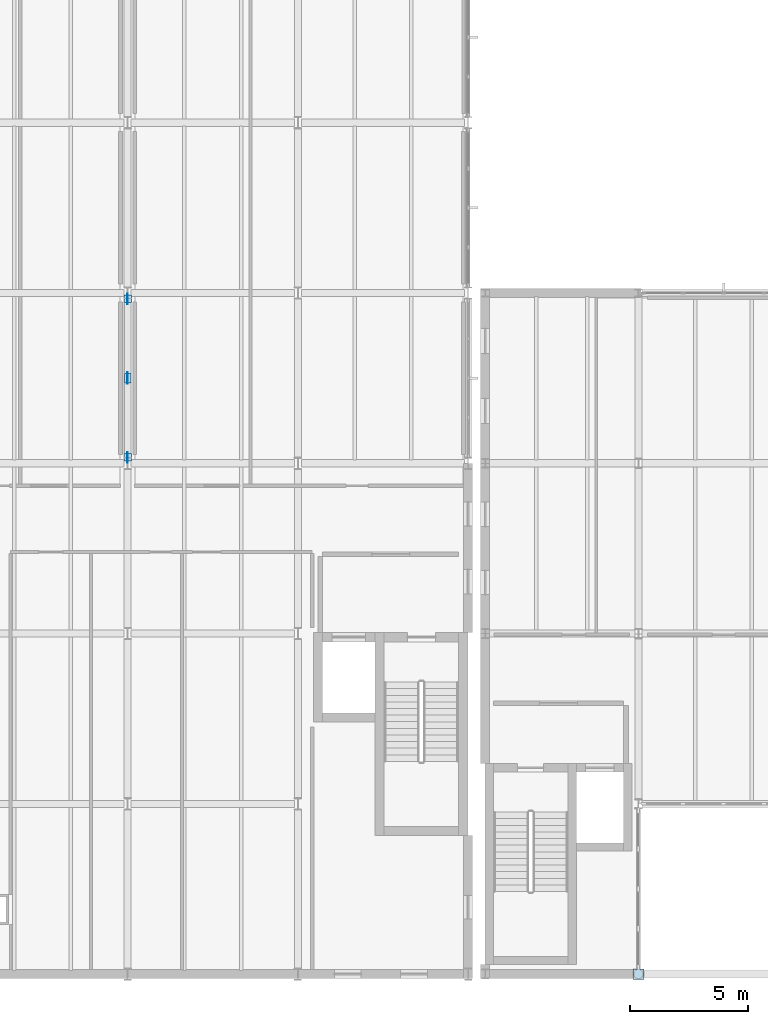
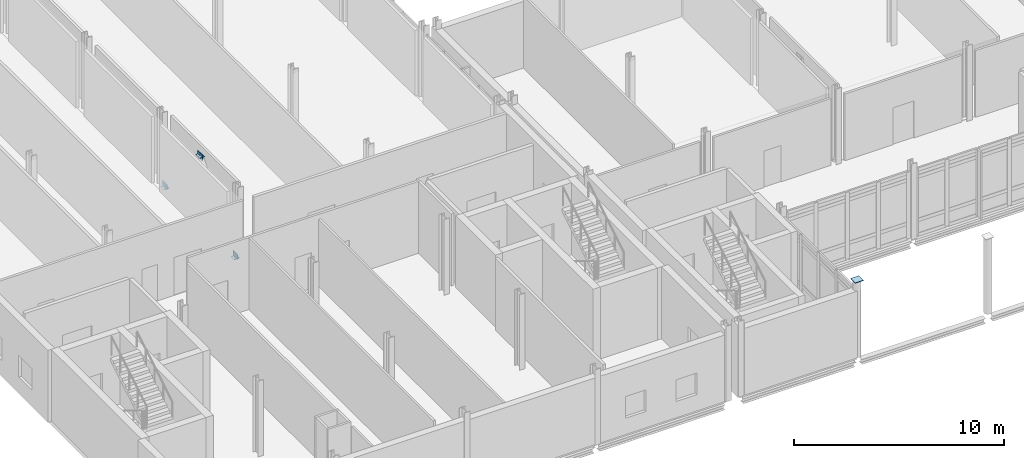
# One storey, part 43 of 76: 7 plates.
"""IFC4 building model written with IfcOpenShell, lengths in metres."""

from ifc_helpers import new_model, si_unit, direction, frame, origin, origin_2d, place, context, subcontext, project, spatial, rectangle, extrude, material, layer, layer_set, type_object, element, save


model = new_model("IFC4")

# Units and contexts
model_context = context("Model", 3, precision=1e-05, world=origin(), true_north=direction((0.0, 1.0)))
body_context = subcontext(model_context, "Body", "Model", "MODEL_VIEW")
ifc_project = project(units=[si_unit("LENGTHUNIT", "METRE"), si_unit("AREAUNIT", "SQUARE_METRE"), si_unit("VOLUMEUNIT", "CUBIC_METRE"), si_unit("PLANEANGLEUNIT", "RADIAN"), si_unit("MASSUNIT", "GRAM", prefix="KILO")], contexts=[model_context])

# Site, building, storey
site_placement = place(None, origin())
site = spatial("IfcSite", under=ifc_project, at=site_placement, CompositionType="ELEMENT")
building_placement = place(site_placement, origin())
building = spatial("IfcBuilding", under=site, at=building_placement, Name="Zarrinpeak Specialist Clinic", CompositionType="ELEMENT")
storey_placement = place(building_placement, frame((0.0, 0.0, 5.199951171875)))
storey = spatial("IfcBuildingStorey", under=building, at=storey_placement, Name="L01", CompositionType="ELEMENT", Elevation=5.199951171875)

# Plates
ifc_material = material(Name="Steel S355", Category="steel")
ifc_layer_1 = layer(ifc_material, 0.01806640625)
ifc_layer_set_1 = layer_set([ifc_layer_1], Name="Steel S355")
plate_type_1 = type_object("IfcPlateType", Name="PL-CAP273", PredefinedType="SHEET", material=ifc_layer_set_1)
for number, where, z_axis, x_axis, name in (
    (1, (14.39990234375, 21.85009765625, 0.0), (0.0, 0.0, 1.0), (1.0, 0.0, 0.0), "V1 L01 Hollow Brace Foot Cap Plate A"),
    (2, (14.39990234375, 28.550048828125, 0.0), (0.0, 0.0, 1.0), (1.0, 0.0, 0.0), "V1 L01 Hollow Brace Foot Cap Plate B"),
):
    element("IfcPlate", number, at=place(storey_placement, frame(where, z_axis=z_axis, x_axis=x_axis)), inside=storey, type_object=plate_type_1, Name=name, PredefinedType="SHEET", context=body_context, shape_type="SweptSolid", body=[
        extrude(rectangle(XDim=0.31005859375, YDim=0.31005859375, at=origin_2d()), origin(), (0.0, 0.0, 1.0), 0.01806640625),
    ])
ifc_layer_2 = layer(ifc_material, 0.02197265625)
ifc_layer_set_2 = layer_set([ifc_layer_2], Name="Steel S355")
plate_type_2 = type_object("IfcPlateType", Name="PL-CAP406", PredefinedType="SHEET", material=ifc_layer_set_2)
plate_1_placement = place(storey_placement, frame((36.0, 0.0, 4.39599609375), z_axis=(0.0, 0.0, 1.0), x_axis=(1.0, 0.0, 0.0)))
element("IfcPlate", 3, at=plate_1_placement, inside=storey, type_object=plate_type_2, Name="L01 Hollow Column Top Cap Plate CCAP-T-063", PredefinedType="SHEET", context=body_context, shape_type="SweptSolid", body=[
    extrude(rectangle(XDim=0.449951171875, YDim=0.449951171875, at=origin_2d()), origin(), (0.0, 0.0, 1.0), 0.02197265625),
])
ifc_layer_3 = layer(ifc_material, 0.02001953125)
ifc_layer_set_3 = layer_set([ifc_layer_3], Name="Steel S355")
plate_type_3 = type_object("IfcPlateType", Name="PL-GN01", PredefinedType="SHEET", material=ifc_layer_set_3)
plate_2_placement = place(storey_placement, frame((14.39990234375, 25.199951171875, 3.72509765625), z_axis=(0.0, 0.0, 1.0), x_axis=(1.0, 0.0, 0.0)))
element("IfcPlate", 4, at=plate_2_placement, inside=storey, type_object=plate_type_3, Name="V1 L01 Chevron Gusset Node Plate GN-V1-L01", PredefinedType="SHEET", context=body_context, shape_type="SweptSolid", body=[
    extrude(rectangle(XDim=0.02001953125, YDim=0.47998046875, at=origin_2d()), origin(), (0.0, 0.0, 1.0), 0.340087890625),
])
ifc_layer_4 = layer(ifc_material, 0.01611328125)
ifc_layer_set_4 = layer_set([ifc_layer_4], Name="Steel S355")
plate_type_4 = type_object("IfcPlateType", Name="PL-GN02", PredefinedType="SHEET", material=ifc_layer_set_4)
plate_3_placement = place(storey_placement, frame((14.39990234375, 25.199951171875, 3.89306640625), z_axis=(0.0, 0.0, 1.0), x_axis=(1.0, 0.0, 0.0)))
element("IfcPlate", 5, at=plate_3_placement, inside=storey, type_object=plate_type_4, Name="V1 L01 Chevron Apex Seal Plate GNCAP-V1-L01", PredefinedType="SHEET", context=body_context, shape_type="SweptSolid", body=[
    extrude(rectangle(XDim=0.280029296875, YDim=0.39990234375, at=origin_2d()), origin(), (0.0, 0.0, 1.0), 0.01611328125),
])
ifc_layer_5 = layer(ifc_material, 0.01806640625)
ifc_layer_set_5 = layer_set([ifc_layer_5], Name="Steel S355")
plate_type_5 = type_object("IfcPlateType", Name="PL-GN03", PredefinedType="SHEET", material=ifc_layer_set_5)
for number, where, z_axis, x_axis, name in (
    (6, (14.39990234375, 21.85009765625, 0.005126953125), (0.0, 0.0, 1.0), (1.0, 0.0, 0.0), "V1 L01 Brace Foot Gusset Plate GNF-V1-L01-A"),
    (7, (14.39990234375, 28.550048828125, 0.005126953125), (0.0, 0.0, 1.0), (1.0, 0.0, 0.0), "V1 L01 Brace Foot Gusset Plate GNF-V1-L01-B"),
):
    element("IfcPlate", number, at=place(storey_placement, frame(where, z_axis=z_axis, x_axis=x_axis)), inside=storey, type_object=plate_type_5, Name=name, PredefinedType="SHEET", context=body_context, shape_type="SweptSolid", body=[
        extrude(rectangle(XDim=0.01806640625, YDim=0.43994140625, at=origin_2d()), origin(), (0.0, 0.0, 1.0), 0.31005859375),
    ])

save(model, "model.ifc")
